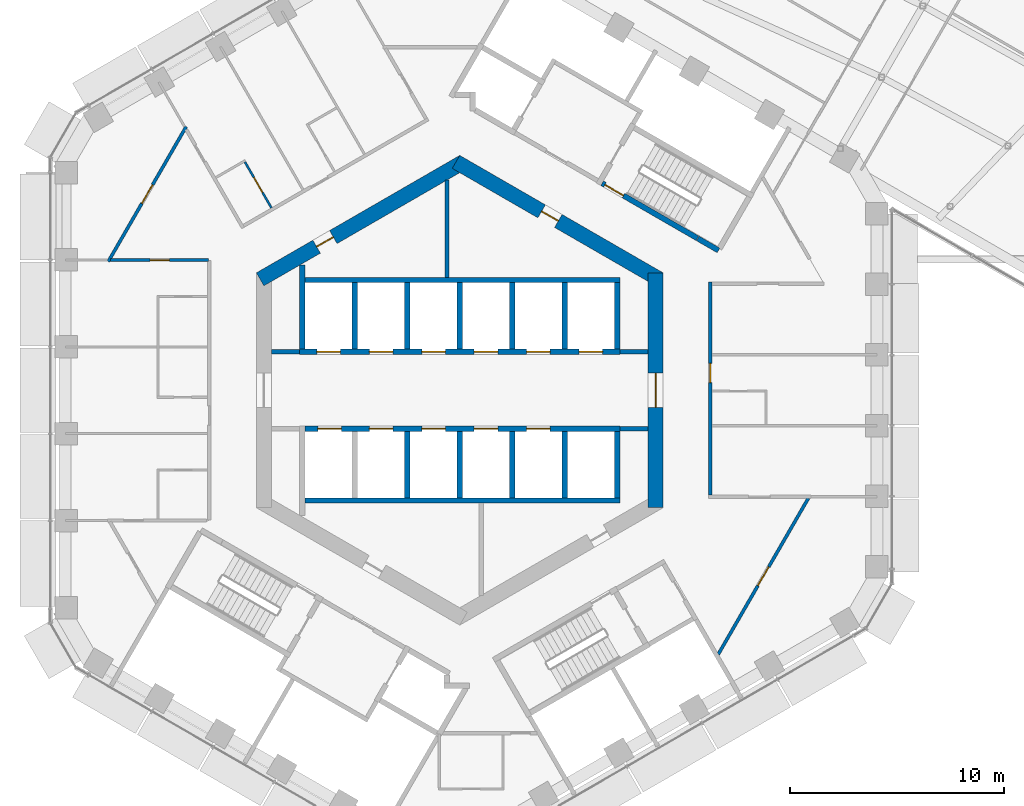
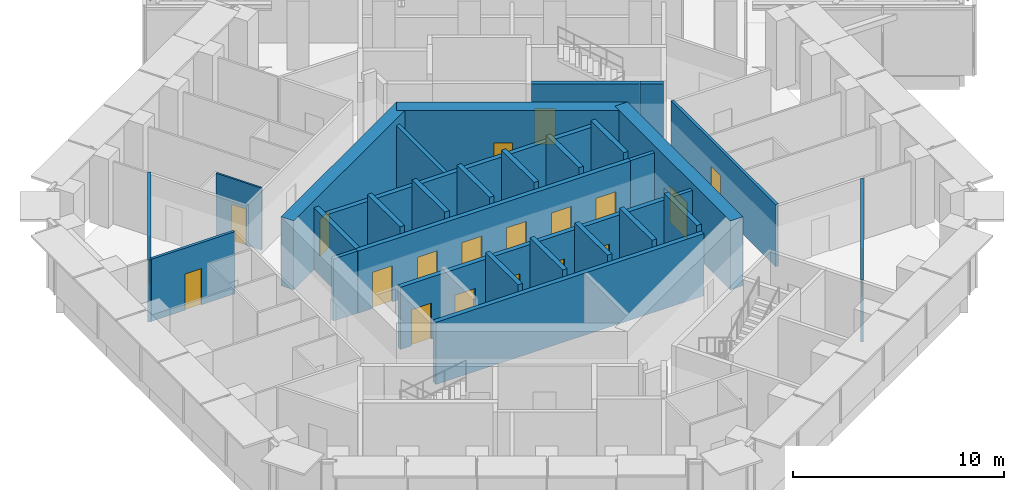
# One storey, part 20 of 28: 30 walls, 20 doors, 20 openings.
"""IFC4 building model written with IfcOpenShell, lengths in metres."""

from ifc_helpers import new_model, si_unit, direction, frame, frame_2d, origin, place, context, subcontext, project, spatial, rectangle, extrude, material, layer, layer_set, type_object, element, fill, save


model = new_model("IFC4")

# Units and contexts
model_context = context("Model", 3, precision=1e-05, world=origin(), true_north=direction((0.0, 1.0)))
body_context = subcontext(model_context, "Body", "Model", "MODEL_VIEW")
ifc_project = project(units=[si_unit("LENGTHUNIT", "METRE"), si_unit("AREAUNIT", "SQUARE_METRE"), si_unit("VOLUMEUNIT", "CUBIC_METRE"), si_unit("PLANEANGLEUNIT", "RADIAN"), si_unit("MASSUNIT", "GRAM", prefix="KILO")], contexts=[model_context])

# Site, building, storey
site_placement = place(None, origin())
site = spatial("IfcSite", under=ifc_project, at=site_placement, CompositionType="ELEMENT")
building_placement = place(site_placement, origin())
building = spatial("IfcBuilding", under=site, at=building_placement, Name="Ayvan Gate Tower", CompositionType="ELEMENT")
storey_placement = place(building_placement, frame((0.0, 0.0, 143.89990234375)))
storey = spatial("IfcBuildingStorey", under=building, at=storey_placement, Name="L38", CompositionType="ELEMENT", Elevation=143.89990234375)

# Wall, opening, door
ifc_material_1 = material(Name="Concrete C70/85", Category="concrete")
ifc_layer_1 = layer(ifc_material_1, 0.699951171875)
ifc_layer_set_1 = layer_set([ifc_layer_1], Name="Concrete C70/85")
wall_type_1 = type_object("IfcWallType", Name="Core wall 700 C70/85", PredefinedType="SHEAR", material=ifc_layer_set_1)
wall_1_placement = place(storey_placement, frame((9.14990234375, -5.48486328125, 0.0), z_axis=(0.0, 0.0, 1.0), x_axis=(0.0, 1.0, 0.0)))
wall_1 = element("IfcWall", 1, at=wall_1_placement, inside=storey, type_object=wall_type_1, Name="CORE-L38-0", PredefinedType="SHEAR", context=body_context, shape_type="SweptSolid", body=[
    extrude(rectangle(XDim=10.9697265625, YDim=0.699951171875, at=frame_2d((5.48486328125, 0.0))), origin(), (0.0, 0.0, 1.0), 4.0),
])
opening_1_placement = place(wall_1_placement, frame((4.684814453125, 0.0, 0.0)))
opening_1 = element("IfcOpeningElement", 2, at=opening_1_placement, cuts=wall_1, Name="Opening L38-D55", PredefinedType="OPENING", context=body_context, shape_type="SweptSolid", body=[
    extrude(rectangle(XDim=1.60009765625, YDim=2.10009765625, at=frame_2d((0.800048828125, 1.050048828125))), frame((0.0, 0.35986328125, 0.0), z_axis=(0.0, -1.0, 0.0), x_axis=(1.0, 0.0, 0.0)), (0.0, 0.0, 1.0), 0.719970703125),
])
ifc_material_2 = material(Name="Timber door leaf", Category="wood")
door_type_1 = type_object("IfcDoorType", Name="DT-1600", OperationType="NOTDEFINED", PredefinedType="DOOR", material=ifc_material_2)
door_1_placement = place(opening_1_placement, origin())
door_1 = element("IfcDoor", 3, at=door_1_placement, inside=storey, type_object=door_type_1, Name="CD-L38-55", OperationType="SINGLE_SWING_LEFT", OverallHeight=2.10009765625, OverallWidth=1.60009765625, PredefinedType="DOOR", context=body_context, shape_type="SweptSolid", body=[
    extrude(rectangle(XDim=1.60009765625, YDim=2.10009765625, at=frame_2d((0.800048828125, 1.050048828125))), frame((0.0, 0.02490234375, 0.0), z_axis=(0.0, -1.0, 0.0), x_axis=(1.0, 0.0, 0.0)), (0.0, 0.0, 1.0), 0.050048828125),
])
fill(opening_1, door_1)

wall_2_placement = place(storey_placement, frame((9.324951171875, 5.181640625, 0.0), z_axis=(0.0, 0.0, 1.0), x_axis=(-0.866023993627, 0.500002442456, 0.0)))
wall_2 = element("IfcWall", 4, at=wall_2_placement, inside=storey, type_object=wall_type_1, Name="CORE-L38-1", PredefinedType="SHEAR", context=body_context, shape_type="SweptSolid", body=[
    extrude(rectangle(XDim=10.9697265625, YDim=0.699951171875, at=frame_2d((5.48486328125, 0.0))), origin(), (0.0, 0.0, 1.0), 4.0),
])
opening_2_placement = place(wall_2_placement, frame((5.451171875, 0.0, 0.0)))
opening_2 = element("IfcOpeningElement", 5, at=opening_2_placement, cuts=wall_2, Name="Opening L38-D52", PredefinedType="OPENING", context=body_context, shape_type="SweptSolid", body=[
    extrude(rectangle(XDim=0.89990234375, YDim=2.10009765625, at=frame_2d((0.449951171875, 1.050048828125))), frame((0.0, 0.35986328125, 0.0), z_axis=(0.0, -1.0, 0.0), x_axis=(1.0, 0.0, 0.0)), (0.0, 0.0, 1.0), 0.719970703125),
])
door_type_2 = type_object("IfcDoorType", Name="DT-900", OperationType="NOTDEFINED", PredefinedType="DOOR", material=ifc_material_2)
door_2_placement = place(opening_2_placement, origin())
door_2 = element("IfcDoor", 6, at=door_2_placement, inside=storey, type_object=door_type_2, Name="CD-L38-52", OperationType="SINGLE_SWING_RIGHT", OverallHeight=2.10009765625, OverallWidth=0.89990234375, PredefinedType="DOOR", context=body_context, shape_type="SweptSolid", body=[
    extrude(rectangle(XDim=0.89990234375, YDim=2.10009765625, at=frame_2d((0.449951171875, 1.050048828125))), frame((0.0, 0.02490234375, 0.0), z_axis=(0.0, -1.0, 0.0), x_axis=(1.0, 0.0, 0.0)), (0.0, 0.0, 1.0), 0.050048828125),
])
fill(opening_2, door_2)

wall_3_placement = place(storey_placement, frame((0.175048828125, 10.66650390625, 0.0), z_axis=(0.0, 0.0, 1.0), x_axis=(-0.866023993627, -0.500002442456, 0.0)))
wall_3 = element("IfcWall", 7, at=wall_3_placement, inside=storey, type_object=wall_type_1, Name="CORE-L38-2", PredefinedType="SHEAR", context=body_context, shape_type="SweptSolid", body=[
    extrude(rectangle(XDim=10.9697265625, YDim=0.699951171875, at=frame_2d((5.48486328125, 0.0))), origin(), (0.0, 0.0, 1.0), 4.0),
])
opening_3_placement = place(wall_3_placement, frame((7.021484375, 0.0, 0.0)))
opening_3 = element("IfcOpeningElement", 8, at=opening_3_placement, cuts=wall_3, Name="Opening L38-D51", PredefinedType="OPENING", context=body_context, shape_type="SweptSolid", body=[
    extrude(rectangle(XDim=0.89990234375, YDim=2.10009765625, at=frame_2d((0.449951171875, 1.050048828125))), frame((0.0, 0.35986328125, 0.0), z_axis=(0.0, -1.0, 0.0), x_axis=(1.0, 0.0, 0.0)), (0.0, 0.0, 1.0), 0.719970703125),
])
door_3_placement = place(opening_3_placement, origin())
door_3 = element("IfcDoor", 9, at=door_3_placement, inside=storey, type_object=door_type_2, Name="CD-L38-51", OperationType="SINGLE_SWING_LEFT", OverallHeight=2.10009765625, OverallWidth=0.89990234375, PredefinedType="DOOR", context=body_context, shape_type="SweptSolid", body=[
    extrude(rectangle(XDim=0.89990234375, YDim=2.10009765625, at=frame_2d((0.449951171875, 1.050048828125))), frame((0.0, 0.02490234375, 0.0), z_axis=(0.0, -1.0, 0.0), x_axis=(1.0, 0.0, 0.0)), (0.0, 0.0, 1.0), 0.050048828125),
])
fill(opening_3, door_3)

ifc_material_3 = material(Name="Plasterboard on steel stud", Category="steel")
ifc_layer_2 = layer(ifc_material_3, 0.14990234375)
ifc_layer_set_2 = layer_set([ifc_layer_2], Name="Plasterboard on steel stud")
wall_type_2 = type_object("IfcWallType", Name="WT-CORR-150", PredefinedType="PARTITIONING", material=ifc_layer_set_2)
wall_4_placement = place(storey_placement, frame((-16.415771484375, 6.013427734375, 0.0), z_axis=(0.0, 0.0, 1.0), x_axis=(0.50001977908, 0.866013984026, 0.0)))
wall_4 = element("IfcWall", 10, at=wall_4_placement, inside=storey, type_object=wall_type_2, Name="IW-L38-001", PredefinedType="PARTITIONING", context=body_context, shape_type="SweptSolid", body=[
    extrude(rectangle(XDim=7.273681640625, YDim=0.14990234375, at=frame_2d((3.63671875, 0.0))), origin(), (0.0, 0.0, 1.0), 3.60009765625),
])
opening_4_placement = place(wall_4_placement, frame((3.13671875, 0.0, 0.0)))
opening_4 = element("IfcOpeningElement", 11, at=opening_4_placement, cuts=wall_4, Name="Opening L38-D27", PredefinedType="OPENING", context=body_context, shape_type="SweptSolid", body=[
    extrude(rectangle(XDim=1.0, YDim=2.10009765625, at=frame_2d((0.5, 1.050048828125))), frame((0.0, 0.0849609375, 0.0), z_axis=(0.0, -1.0, 0.0), x_axis=(1.0, 0.0, 0.0)), (0.0, 0.0, 1.0), 0.169921875),
])
door_type_3 = type_object("IfcDoorType", Name="DT-1000", OperationType="NOTDEFINED", PredefinedType="DOOR", material=ifc_material_2)
door_4_placement = place(opening_4_placement, origin())
door_4 = element("IfcDoor", 12, at=door_4_placement, inside=storey, type_object=door_type_3, Name="ID-L38-027", OperationType="SINGLE_SWING_LEFT", OverallHeight=2.10009765625, OverallWidth=1.0, PredefinedType="DOOR", context=body_context, shape_type="SweptSolid", body=[
    extrude(rectangle(XDim=1.0, YDim=2.10009765625, at=frame_2d((0.5, 1.050048828125))), frame((0.0, 0.02490234375, 0.0), z_axis=(0.0, -1.0, 0.0), x_axis=(1.0, 0.0, 0.0)), (0.0, 0.0, 1.0), 0.050048828125),
])
fill(opening_4, door_4)

wall_5_placement = place(storey_placement, frame((-11.72802734375, 6.078369140625, 0.0), z_axis=(0.0, 0.0, 1.0), x_axis=(-1.0, 0.0, 0.0)))
wall_5 = element("IfcWall", 13, at=wall_5_placement, inside=storey, type_object=wall_type_2, Name="IW-L38-014", PredefinedType="PARTITIONING", context=body_context, shape_type="SweptSolid", body=[
    extrude(rectangle(XDim=4.5751953125, YDim=0.14990234375, at=frame_2d((2.28759765625, 0.0))), origin(), (0.0, 0.0, 1.0), 3.60009765625),
])
opening_5_placement = place(wall_5_placement, frame((1.837646484375, 0.0, 0.0)))
opening_5 = element("IfcOpeningElement", 14, at=opening_5_placement, cuts=wall_5, Name="Opening L38-D28", PredefinedType="OPENING", context=body_context, shape_type="SweptSolid", body=[
    extrude(rectangle(XDim=0.89990234375, YDim=2.10009765625, at=frame_2d((0.449951171875, 1.050048828125))), frame((0.0, 0.0849609375, 0.0), z_axis=(0.0, -1.0, 0.0), x_axis=(1.0, 0.0, 0.0)), (0.0, 0.0, 1.0), 0.169921875),
])
door_5_placement = place(opening_5_placement, origin())
door_5 = element("IfcDoor", 15, at=door_5_placement, inside=storey, type_object=door_type_2, Name="ID-L38-028", OperationType="SINGLE_SWING_RIGHT", OverallHeight=2.10009765625, OverallWidth=0.89990234375, PredefinedType="DOOR", context=body_context, shape_type="SweptSolid", body=[
    extrude(rectangle(XDim=0.89990234375, YDim=2.10009765625, at=frame_2d((0.449951171875, 1.050048828125))), frame((0.0, 0.02490234375, 0.0), z_axis=(0.0, -1.0, 0.0), x_axis=(1.0, 0.0, 0.0)), (0.0, 0.0, 1.0), 0.050048828125),
])
fill(opening_5, door_5)

wall_6_placement = place(storey_placement, frame((11.699951171875, -4.900390625, 0.0), z_axis=(0.0, 0.0, 1.0), x_axis=(0.0, 1.0, 0.0)))
wall_6 = element("IfcWall", 16, at=wall_6_placement, inside=storey, type_object=wall_type_2, Name="IW-L38-102", PredefinedType="PARTITIONING", context=body_context, shape_type="SweptSolid", body=[
    extrude(rectangle(XDim=9.950927734375, YDim=0.14990234375, at=frame_2d((4.9755859375, 0.0))), origin(), (0.0, 0.0, 1.0), 3.60009765625),
])
opening_6_placement = place(wall_6_placement, frame((5.259033203125, 0.0, 0.0)))
opening_6 = element("IfcOpeningElement", 17, at=opening_6_placement, cuts=wall_6, Name="Opening L38-D24", PredefinedType="OPENING", context=body_context, shape_type="SweptSolid", body=[
    extrude(rectangle(XDim=0.89990234375, YDim=2.10009765625, at=frame_2d((0.449951171875, 1.050048828125))), frame((0.0, 0.0849609375, 0.0), z_axis=(0.0, -1.0, 0.0), x_axis=(1.0, 0.0, 0.0)), (0.0, 0.0, 1.0), 0.169921875),
])
door_6_placement = place(opening_6_placement, origin())
door_6 = element("IfcDoor", 18, at=door_6_placement, inside=storey, type_object=door_type_2, Name="ID-L38-024", OperationType="SINGLE_SWING_RIGHT", OverallHeight=2.10009765625, OverallWidth=0.89990234375, PredefinedType="DOOR", context=body_context, shape_type="SweptSolid", body=[
    extrude(rectangle(XDim=0.89990234375, YDim=2.10009765625, at=frame_2d((0.449951171875, 1.050048828125))), frame((0.0, 0.02490234375, 0.0), z_axis=(0.0, -1.0, 0.0), x_axis=(1.0, 0.0, 0.0)), (0.0, 0.0, 1.0), 0.050048828125),
])
fill(opening_6, door_6)

wall_7_placement = place(storey_placement, frame((16.28466796875, -5.04052734375, 0.0), z_axis=(0.0, 0.0, 1.0), x_axis=(-0.499997548519, -0.866026819143, 0.0)))
wall_7 = element("IfcWall", 19, at=wall_7_placement, inside=storey, type_object=wall_type_2, Name="IW-L38-112", PredefinedType="PARTITIONING", context=body_context, shape_type="SweptSolid", body=[
    extrude(rectangle(XDim=8.4248046875, YDim=0.14990234375, at=frame_2d((4.21240234375, 0.0))), origin(), (0.0, 0.0, 1.0), 3.60009765625),
])
opening_7_placement = place(wall_7_placement, frame((3.71240234375, 0.0, 0.0)))
opening_7 = element("IfcOpeningElement", 20, at=opening_7_placement, cuts=wall_7, Name="Opening L38-D37", PredefinedType="OPENING", context=body_context, shape_type="SweptSolid", body=[
    extrude(rectangle(XDim=1.0, YDim=2.10009765625, at=frame_2d((0.5, 1.050048828125))), frame((0.0, 0.0849609375, 0.0), z_axis=(0.0, -1.0, 0.0), x_axis=(1.0, 0.0, 0.0)), (0.0, 0.0, 1.0), 0.169921875),
])
door_7_placement = place(opening_7_placement, origin())
door_7 = element("IfcDoor", 21, at=door_7_placement, inside=storey, type_object=door_type_3, Name="ID-L38-037", OperationType="SINGLE_SWING_LEFT", OverallHeight=2.10009765625, OverallWidth=1.0, PredefinedType="DOOR", context=body_context, shape_type="SweptSolid", body=[
    extrude(rectangle(XDim=1.0, YDim=2.10009765625, at=frame_2d((0.5, 1.050048828125))), frame((0.0, 0.02490234375, 0.0), z_axis=(0.0, -1.0, 0.0), x_axis=(1.0, 0.0, 0.0)), (0.0, 0.0, 1.0), 0.050048828125),
])
fill(opening_7, door_7)

ifc_layer_3 = layer(ifc_material_3, 0.10009765625)
ifc_layer_set_3 = layer_set([ifc_layer_3], Name="Plasterboard on steel stud")
wall_type_3 = type_object("IfcWallType", Name="WT-PART-100", PredefinedType="PARTITIONING", material=ifc_layer_set_3)
wall_8_placement = place(storey_placement, frame((-8.7958984375, 8.518310546875, 0.0), z_axis=(0.0, 0.0, 1.0), x_axis=(-0.500032699561, 0.866006523861, 0.0)))
wall_8 = element("IfcWall", 22, at=wall_8_placement, inside=storey, type_object=wall_type_3, Name="IW-L38-023", PredefinedType="PARTITIONING", context=body_context, shape_type="SweptSolid", body=[
    extrude(rectangle(XDim=2.474853515625, YDim=0.10009765625, at=frame_2d((1.2373046875, 0.0))), origin(), (0.0, 0.0, 1.0), 3.60009765625),
])
opening_8_placement = place(wall_8_placement, frame((0.83740234375, 0.0, 0.0)))
opening_8 = element("IfcOpeningElement", 23, at=opening_8_placement, cuts=wall_8, Name="Opening L38-D42", PredefinedType="OPENING", context=body_context, shape_type="SweptSolid", body=[
    extrude(rectangle(XDim=0.800048828125, YDim=2.10009765625, at=frame_2d((0.39990234375, 1.050048828125))), frame((0.0, 0.06005859375, 0.0), z_axis=(0.0, -1.0, 0.0), x_axis=(1.0, 0.0, 0.0)), (0.0, 0.0, 1.0), 0.1201171875),
])
door_type_4 = type_object("IfcDoorType", Name="DT-800", OperationType="NOTDEFINED", PredefinedType="DOOR", material=ifc_material_2)
door_8_placement = place(opening_8_placement, origin())
door_8 = element("IfcDoor", 24, at=door_8_placement, inside=storey, type_object=door_type_4, Name="ID-L38-042", OperationType="SINGLE_SWING_RIGHT", OverallHeight=2.10009765625, OverallWidth=0.800048828125, PredefinedType="DOOR", context=body_context, shape_type="SweptSolid", body=[
    extrude(rectangle(XDim=0.800048828125, YDim=2.10009765625, at=frame_2d((0.39990234375, 1.050048828125))), frame((0.0, 0.02490234375, 0.0), z_axis=(0.0, -1.0, 0.0), x_axis=(1.0, 0.0, 0.0)), (0.0, 0.0, 1.0), 0.050048828125),
])
fill(opening_8, door_8)

# Walls
ifc_layer_4 = layer(ifc_material_3, 0.199951171875)
ifc_layer_set_4 = layer_set([ifc_layer_4], Name="Plasterboard on steel stud")
wall_type_4 = type_object("IfcWallType", Name="WT-RATED-200", PredefinedType="PARTITIONING", material=ifc_layer_set_4)
wall_9_placement = place(storey_placement, frame((-8.800048828125, 1.800048828125, 0.0), z_axis=(0.0, 0.0, 1.0), x_axis=(1.0, 0.0, 0.0)))
element("IfcWall", 25, at=wall_9_placement, inside=storey, type_object=wall_type_4, Name="IW-L38-022", PredefinedType="PARTITIONING", context=body_context, shape_type="SweptSolid", body=[
    extrude(rectangle(XDim=1.3251953125, YDim=0.199951171875, at=frame_2d((0.66259765625, 0.0))), origin(), (0.0, 0.0, 1.0), 3.60009765625),
])
wall_10_placement = place(storey_placement, frame((-0.60009765625, 9.81494140625, 0.0), z_axis=(0.0, 0.0, 1.0), x_axis=(0.0, -1.0, 0.0)))
element("IfcWall", 26, at=wall_10_placement, inside=storey, type_object=wall_type_4, Name="IW-L38-060", PredefinedType="PARTITIONING", context=body_context, shape_type="SweptSolid", body=[
    extrude(rectangle(XDim=4.5400390625, YDim=0.199951171875, at=frame_2d((2.27001953125, 0.0))), origin(), (0.0, 0.0, 1.0), 3.60009765625),
])
for number, where, z_axis, x_axis, name in (
    (27, (7.474853515625, 1.800048828125, 0.0), (0.0, 0.0, 1.0), (1.0, 0.0, 0.0), "IW-L38-090"),
    (28, (8.800048828125, -1.800048828125, 0.0), (0.0, 0.0, 1.0), (-1.0, 0.0, 0.0), "IW-L38-096"),
):
    element("IfcWall", number, at=place(storey_placement, frame(where, z_axis=z_axis, x_axis=x_axis)), inside=storey, type_object=wall_type_4, Name=name, PredefinedType="PARTITIONING", context=body_context, shape_type="SweptSolid", body=[
        extrude(rectangle(XDim=1.3251953125, YDim=0.199951171875, at=frame_2d((0.66259765625, 0.0))), origin(), (0.0, 0.0, 1.0), 3.60009765625),
    ])

# Wall, openings, doors
ifc_material_4 = material(Name="Concrete C50/60", Category="concrete")
ifc_layer_5 = layer(ifc_material_4, 0.25)
ifc_layer_set_5 = layer_set([ifc_layer_5], Name="Concrete C50/60")
wall_type_5 = type_object("IfcWallType", Name="WT-RC-250", PredefinedType="SHEAR", material=ifc_layer_set_5)
wall_11_placement = place(storey_placement, frame((-7.47509765625, 1.800048828125, 0.0), z_axis=(0.0, 0.0, 1.0), x_axis=(1.0, 0.0, 0.0)))
wall_11 = element("IfcWall", 29, at=wall_11_placement, inside=storey, type_object=wall_type_5, Name="IW-L38-028", PredefinedType="SHEAR", context=body_context, shape_type="SweptSolid", body=[
    extrude(rectangle(XDim=14.9501953125, YDim=0.25, at=frame_2d((7.47509765625, 0.0))), origin(), (0.0, 0.0, 1.0), 3.60009765625),
])
opening_9_placement = place(wall_11_placement, frame((0.800048828125, 0.0, 0.0)))
opening_9 = element("IfcOpeningElement", 30, at=opening_9_placement, cuts=wall_11, Name="Opening L38-LD-HR1", PredefinedType="OPENING", context=body_context, shape_type="SweptSolid", body=[
    extrude(rectangle(XDim=1.10009765625, YDim=2.10009765625, at=frame_2d((0.550048828125, 1.050048828125))), frame((0.0, 0.135009765625, 0.0), z_axis=(0.0, -1.0, 0.0), x_axis=(1.0, 0.0, 0.0)), (0.0, 0.0, 1.0), 0.27001953125),
])
opening_10_placement = place(wall_11_placement, frame((3.25, 0.0, 0.0)))
opening_10 = element("IfcOpeningElement", 31, at=opening_10_placement, cuts=wall_11, Name="Opening L38-LD-HR2", PredefinedType="OPENING", context=body_context, shape_type="SweptSolid", body=[
    extrude(rectangle(XDim=1.10009765625, YDim=2.10009765625, at=frame_2d((0.550048828125, 1.050048828125))), frame((0.0, 0.135009765625, 0.0), z_axis=(0.0, -1.0, 0.0), x_axis=(1.0, 0.0, 0.0)), (0.0, 0.0, 1.0), 0.27001953125),
])
opening_11_placement = place(wall_11_placement, frame((5.7001953125, 0.0, 0.0)))
opening_11 = element("IfcOpeningElement", 32, at=opening_11_placement, cuts=wall_11, Name="Opening L38-LD-HR3", PredefinedType="OPENING", context=body_context, shape_type="SweptSolid", body=[
    extrude(rectangle(XDim=1.10009765625, YDim=2.10009765625, at=frame_2d((0.550048828125, 1.050048828125))), frame((0.0, 0.135009765625, 0.0), z_axis=(0.0, -1.0, 0.0), x_axis=(1.0, 0.0, 0.0)), (0.0, 0.0, 1.0), 0.27001953125),
])
opening_12_placement = place(wall_11_placement, frame((8.150146484375, 0.0, 0.0)))
opening_12 = element("IfcOpeningElement", 33, at=opening_12_placement, cuts=wall_11, Name="Opening L38-LD-HR4", PredefinedType="OPENING", context=body_context, shape_type="SweptSolid", body=[
    extrude(rectangle(XDim=1.10009765625, YDim=2.10009765625, at=frame_2d((0.550048828125, 1.050048828125))), frame((0.0, 0.135009765625, 0.0), z_axis=(0.0, -1.0, 0.0), x_axis=(1.0, 0.0, 0.0)), (0.0, 0.0, 1.0), 0.27001953125),
])
opening_13_placement = place(wall_11_placement, frame((10.60009765625, 0.0, 0.0)))
opening_13 = element("IfcOpeningElement", 34, at=opening_13_placement, cuts=wall_11, Name="Opening L38-LD-HR5", PredefinedType="OPENING", context=body_context, shape_type="SweptSolid", body=[
    extrude(rectangle(XDim=1.10009765625, YDim=2.10009765625, at=frame_2d((0.550048828125, 1.050048828125))), frame((0.0, 0.135009765625, 0.0), z_axis=(0.0, -1.0, 0.0), x_axis=(1.0, 0.0, 0.0)), (0.0, 0.0, 1.0), 0.27001953125),
])
opening_14_placement = place(wall_11_placement, frame((13.050048828125, 0.0, 0.0)))
opening_14 = element("IfcOpeningElement", 35, at=opening_14_placement, cuts=wall_11, Name="Opening L38-LD-HR6", PredefinedType="OPENING", context=body_context, shape_type="SweptSolid", body=[
    extrude(rectangle(XDim=1.10009765625, YDim=2.10009765625, at=frame_2d((0.550048828125, 1.050048828125))), frame((0.0, 0.135009765625, 0.0), z_axis=(0.0, -1.0, 0.0), x_axis=(1.0, 0.0, 0.0)), (0.0, 0.0, 1.0), 0.27001953125),
])
ifc_material_5 = material(Name="Stainless steel landing door", Category="steel")
door_type_5 = type_object("IfcDoorType", Name="DT-LANDING-1100", OperationType="SLIDING_TO_LEFT", PredefinedType="DOOR", material=ifc_material_5)
door_9_placement = place(opening_9_placement, origin())
door_9 = element("IfcDoor", 36, at=door_9_placement, inside=storey, type_object=door_type_5, Name="ID-L38-001", OperationType="SLIDING_TO_LEFT", OverallHeight=2.10009765625, OverallWidth=1.10009765625, PredefinedType="DOOR", context=body_context, shape_type="SweptSolid", body=[
    extrude(rectangle(XDim=1.10009765625, YDim=2.10009765625, at=frame_2d((0.550048828125, 1.050048828125))), frame((0.0, 0.02490234375, 0.0), z_axis=(0.0, -1.0, 0.0), x_axis=(1.0, 0.0, 0.0)), (0.0, 0.0, 1.0), 0.050048828125),
])
fill(opening_9, door_9)
door_10_placement = place(opening_10_placement, origin())
door_10 = element("IfcDoor", 37, at=door_10_placement, inside=storey, type_object=door_type_5, Name="ID-L38-002", OperationType="SLIDING_TO_LEFT", OverallHeight=2.10009765625, OverallWidth=1.10009765625, PredefinedType="DOOR", context=body_context, shape_type="SweptSolid", body=[
    extrude(rectangle(XDim=1.10009765625, YDim=2.10009765625, at=frame_2d((0.550048828125, 1.050048828125))), frame((0.0, 0.02490234375, 0.0), z_axis=(0.0, -1.0, 0.0), x_axis=(1.0, 0.0, 0.0)), (0.0, 0.0, 1.0), 0.050048828125),
])
fill(opening_10, door_10)
door_11_placement = place(opening_11_placement, origin())
door_11 = element("IfcDoor", 38, at=door_11_placement, inside=storey, type_object=door_type_5, Name="ID-L38-003", OperationType="SLIDING_TO_LEFT", OverallHeight=2.10009765625, OverallWidth=1.10009765625, PredefinedType="DOOR", context=body_context, shape_type="SweptSolid", body=[
    extrude(rectangle(XDim=1.10009765625, YDim=2.10009765625, at=frame_2d((0.550048828125, 1.050048828125))), frame((0.0, 0.02490234375, 0.0), z_axis=(0.0, -1.0, 0.0), x_axis=(1.0, 0.0, 0.0)), (0.0, 0.0, 1.0), 0.050048828125),
])
fill(opening_11, door_11)
door_12_placement = place(opening_12_placement, origin())
door_12 = element("IfcDoor", 39, at=door_12_placement, inside=storey, type_object=door_type_5, Name="ID-L38-004", OperationType="SLIDING_TO_LEFT", OverallHeight=2.10009765625, OverallWidth=1.10009765625, PredefinedType="DOOR", context=body_context, shape_type="SweptSolid", body=[
    extrude(rectangle(XDim=1.10009765625, YDim=2.10009765625, at=frame_2d((0.550048828125, 1.050048828125))), frame((0.0, 0.02490234375, 0.0), z_axis=(0.0, -1.0, 0.0), x_axis=(1.0, 0.0, 0.0)), (0.0, 0.0, 1.0), 0.050048828125),
])
fill(opening_12, door_12)
door_13_placement = place(opening_13_placement, origin())
door_13 = element("IfcDoor", 40, at=door_13_placement, inside=storey, type_object=door_type_5, Name="ID-L38-005", OperationType="SLIDING_TO_LEFT", OverallHeight=2.10009765625, OverallWidth=1.10009765625, PredefinedType="DOOR", context=body_context, shape_type="SweptSolid", body=[
    extrude(rectangle(XDim=1.10009765625, YDim=2.10009765625, at=frame_2d((0.550048828125, 1.050048828125))), frame((0.0, 0.02490234375, 0.0), z_axis=(0.0, -1.0, 0.0), x_axis=(1.0, 0.0, 0.0)), (0.0, 0.0, 1.0), 0.050048828125),
])
fill(opening_13, door_13)
door_14_placement = place(opening_14_placement, origin())
door_14 = element("IfcDoor", 41, at=door_14_placement, inside=storey, type_object=door_type_5, Name="ID-L38-006", OperationType="SLIDING_TO_LEFT", OverallHeight=2.10009765625, OverallWidth=1.10009765625, PredefinedType="DOOR", context=body_context, shape_type="SweptSolid", body=[
    extrude(rectangle(XDim=1.10009765625, YDim=2.10009765625, at=frame_2d((0.550048828125, 1.050048828125))), frame((0.0, 0.02490234375, 0.0), z_axis=(0.0, -1.0, 0.0), x_axis=(1.0, 0.0, 0.0)), (0.0, 0.0, 1.0), 0.050048828125),
])
fill(opening_14, door_14)

# Walls
wall_12_placement = place(storey_placement, frame((-7.35009765625, 1.925048828125, 0.0), z_axis=(0.0, 0.0, 1.0), x_axis=(0.0, 1.0, 0.0)))
element("IfcWall", 42, at=wall_12_placement, inside=storey, type_object=wall_type_5, Name="IW-L38-030", PredefinedType="SHEAR", context=body_context, shape_type="SweptSolid", body=[
    extrude(rectangle(XDim=3.920654296875, YDim=0.25, at=frame_2d((1.96044921875, 0.0))), origin(), (0.0, 0.0, 1.0), 3.60009765625),
])
for number, where, z_axis, x_axis, name in (
    (43, (-7.22509765625, 5.14990234375, 0.0), (0.0, 0.0, 1.0), (1.0, 0.0, 0.0), "IW-L38-031"),
    (44, (-7.22509765625, -5.14990234375, 0.0), (0.0, 0.0, 1.0), (1.0, 0.0, 0.0), "IW-L38-039"),
):
    element("IfcWall", number, at=place(storey_placement, frame(where, z_axis=z_axis, x_axis=x_axis)), inside=storey, type_object=wall_type_5, Name=name, PredefinedType="SHEAR", context=body_context, shape_type="SweptSolid", body=[
        extrude(rectangle(XDim=14.7001953125, YDim=0.25, at=frame_2d((7.35009765625, 0.0))), origin(), (0.0, 0.0, 1.0), 3.60009765625),
    ])
wall_13_placement = place(storey_placement, frame((-4.89990234375, 5.02490234375, 0.0), z_axis=(0.0, 0.0, 1.0), x_axis=(0.0, -1.0, 0.0)))
element("IfcWall", 45, at=wall_13_placement, inside=storey, type_object=wall_type_5, Name="IW-L38-041", PredefinedType="SHEAR", context=body_context, shape_type="SweptSolid", body=[
    extrude(rectangle(XDim=3.099853515625, YDim=0.25, at=frame_2d((1.5498046875, 0.0))), origin(), (0.0, 0.0, 1.0), 4.0),
])

# Wall, openings, doors
wall_14_placement = place(storey_placement, frame((-7.22509765625, -1.800048828125, 0.0), z_axis=(0.0, 0.0, 1.0), x_axis=(1.0, 0.0, 0.0)))
wall_14 = element("IfcWall", 46, at=wall_14_placement, inside=storey, type_object=wall_type_5, Name="IW-L38-042", PredefinedType="SHEAR", context=body_context, shape_type="SweptSolid", body=[
    extrude(rectangle(XDim=14.7001953125, YDim=0.25, at=frame_2d((7.35009765625, 0.0))), origin(), (0.0, 0.0, 1.0), 3.60009765625),
])
opening_15_placement = place(wall_14_placement, frame((0.597412109375, 0.0, 0.0)))
opening_15 = element("IfcOpeningElement", 47, at=opening_15_placement, cuts=wall_14, Name="Opening L38-LD-LR1", PredefinedType="OPENING", context=body_context, shape_type="SweptSolid", body=[
    extrude(rectangle(XDim=1.10009765625, YDim=2.10009765625, at=frame_2d((0.550048828125, 1.050048828125))), frame((0.0, 0.135009765625, 0.0), z_axis=(0.0, -1.0, 0.0), x_axis=(1.0, 0.0, 0.0)), (0.0, 0.0, 1.0), 0.27001953125),
])
opening_16_placement = place(wall_14_placement, frame((3.0, 0.0, 0.0)))
opening_16 = element("IfcOpeningElement", 48, at=opening_16_placement, cuts=wall_14, Name="Opening L38-LD-LR2", PredefinedType="OPENING", context=body_context, shape_type="SweptSolid", body=[
    extrude(rectangle(XDim=1.10009765625, YDim=2.10009765625, at=frame_2d((0.550048828125, 1.050048828125))), frame((0.0, 0.135009765625, 0.0), z_axis=(0.0, -1.0, 0.0), x_axis=(1.0, 0.0, 0.0)), (0.0, 0.0, 1.0), 0.27001953125),
])
opening_17_placement = place(wall_14_placement, frame((5.4501953125, 0.0, 0.0)))
opening_17 = element("IfcOpeningElement", 49, at=opening_17_placement, cuts=wall_14, Name="Opening L38-LD-LR3", PredefinedType="OPENING", context=body_context, shape_type="SweptSolid", body=[
    extrude(rectangle(XDim=1.10009765625, YDim=2.10009765625, at=frame_2d((0.550048828125, 1.050048828125))), frame((0.0, 0.135009765625, 0.0), z_axis=(0.0, -1.0, 0.0), x_axis=(1.0, 0.0, 0.0)), (0.0, 0.0, 1.0), 0.27001953125),
])
opening_18_placement = place(wall_14_placement, frame((7.900146484375, 0.0, 0.0)))
opening_18 = element("IfcOpeningElement", 50, at=opening_18_placement, cuts=wall_14, Name="Opening L38-LD-LR4", PredefinedType="OPENING", context=body_context, shape_type="SweptSolid", body=[
    extrude(rectangle(XDim=1.10009765625, YDim=2.10009765625, at=frame_2d((0.550048828125, 1.050048828125))), frame((0.0, 0.135009765625, 0.0), z_axis=(0.0, -1.0, 0.0), x_axis=(1.0, 0.0, 0.0)), (0.0, 0.0, 1.0), 0.27001953125),
])
opening_19_placement = place(wall_14_placement, frame((10.35009765625, 0.0, 0.0)))
opening_19 = element("IfcOpeningElement", 51, at=opening_19_placement, cuts=wall_14, Name="Opening L38-LD-SV", PredefinedType="OPENING", context=body_context, shape_type="SweptSolid", body=[
    extrude(rectangle(XDim=1.10009765625, YDim=2.10009765625, at=frame_2d((0.550048828125, 1.050048828125))), frame((0.0, 0.135009765625, 0.0), z_axis=(0.0, -1.0, 0.0), x_axis=(1.0, 0.0, 0.0)), (0.0, 0.0, 1.0), 0.27001953125),
])
door_15_placement = place(opening_15_placement, origin())
door_15 = element("IfcDoor", 52, at=door_15_placement, inside=storey, type_object=door_type_5, Name="ID-L38-007", OperationType="SLIDING_TO_LEFT", OverallHeight=2.10009765625, OverallWidth=1.10009765625, PredefinedType="DOOR", context=body_context, shape_type="SweptSolid", body=[
    extrude(rectangle(XDim=1.10009765625, YDim=2.10009765625, at=frame_2d((0.550048828125, 1.050048828125))), frame((0.0, 0.02490234375, 0.0), z_axis=(0.0, -1.0, 0.0), x_axis=(1.0, 0.0, 0.0)), (0.0, 0.0, 1.0), 0.050048828125),
])
fill(opening_15, door_15)
door_16_placement = place(opening_16_placement, origin())
door_16 = element("IfcDoor", 53, at=door_16_placement, inside=storey, type_object=door_type_5, Name="ID-L38-008", OperationType="SLIDING_TO_LEFT", OverallHeight=2.10009765625, OverallWidth=1.10009765625, PredefinedType="DOOR", context=body_context, shape_type="SweptSolid", body=[
    extrude(rectangle(XDim=1.10009765625, YDim=2.10009765625, at=frame_2d((0.550048828125, 1.050048828125))), frame((0.0, 0.02490234375, 0.0), z_axis=(0.0, -1.0, 0.0), x_axis=(1.0, 0.0, 0.0)), (0.0, 0.0, 1.0), 0.050048828125),
])
fill(opening_16, door_16)
door_17_placement = place(opening_17_placement, origin())
door_17 = element("IfcDoor", 54, at=door_17_placement, inside=storey, type_object=door_type_5, Name="ID-L38-009", OperationType="SLIDING_TO_LEFT", OverallHeight=2.10009765625, OverallWidth=1.10009765625, PredefinedType="DOOR", context=body_context, shape_type="SweptSolid", body=[
    extrude(rectangle(XDim=1.10009765625, YDim=2.10009765625, at=frame_2d((0.550048828125, 1.050048828125))), frame((0.0, 0.02490234375, 0.0), z_axis=(0.0, -1.0, 0.0), x_axis=(1.0, 0.0, 0.0)), (0.0, 0.0, 1.0), 0.050048828125),
])
fill(opening_17, door_17)
door_18_placement = place(opening_18_placement, origin())
door_18 = element("IfcDoor", 55, at=door_18_placement, inside=storey, type_object=door_type_5, Name="ID-L38-010", OperationType="SLIDING_TO_LEFT", OverallHeight=2.10009765625, OverallWidth=1.10009765625, PredefinedType="DOOR", context=body_context, shape_type="SweptSolid", body=[
    extrude(rectangle(XDim=1.10009765625, YDim=2.10009765625, at=frame_2d((0.550048828125, 1.050048828125))), frame((0.0, 0.02490234375, 0.0), z_axis=(0.0, -1.0, 0.0), x_axis=(1.0, 0.0, 0.0)), (0.0, 0.0, 1.0), 0.050048828125),
])
fill(opening_18, door_18)
door_19_placement = place(opening_19_placement, origin())
door_19 = element("IfcDoor", 56, at=door_19_placement, inside=storey, type_object=door_type_5, Name="ID-L38-011", OperationType="SLIDING_TO_LEFT", OverallHeight=2.10009765625, OverallWidth=1.10009765625, PredefinedType="DOOR", context=body_context, shape_type="SweptSolid", body=[
    extrude(rectangle(XDim=1.10009765625, YDim=2.10009765625, at=frame_2d((0.550048828125, 1.050048828125))), frame((0.0, 0.02490234375, 0.0), z_axis=(0.0, -1.0, 0.0), x_axis=(1.0, 0.0, 0.0)), (0.0, 0.0, 1.0), 0.050048828125),
])
fill(opening_19, door_19)

# Walls
for number, where, z_axis, x_axis, name in (
    (57, (-2.449951171875, -1.925048828125, 0.0), (0.0, 0.0, 1.0), (0.0, -1.0, 0.0), "IW-L38-050"),
    (58, (-2.449951171875, 5.02490234375, 0.0), (0.0, 0.0, 1.0), (0.0, -1.0, 0.0), "IW-L38-051"),
    (59, (0.0, -1.925048828125, 0.0), (0.0, 0.0, 1.0), (0.0, -1.0, 0.0), "IW-L38-062"),
    (60, (0.0, 5.02490234375, 0.0), (0.0, 0.0, 1.0), (0.0, -1.0, 0.0), "IW-L38-063"),
    (61, (2.449951171875, -1.925048828125, 0.0), (0.0, 0.0, 1.0), (0.0, -1.0, 0.0), "IW-L38-073"),
    (62, (2.449951171875, 5.02490234375, 0.0), (0.0, 0.0, 1.0), (0.0, -1.0, 0.0), "IW-L38-074"),
    (63, (4.89990234375, -1.925048828125, 0.0), (0.0, 0.0, 1.0), (0.0, -1.0, 0.0), "IW-L38-082"),
    (64, (4.89990234375, 5.02490234375, 0.0), (0.0, 0.0, 1.0), (0.0, -1.0, 0.0), "IW-L38-083"),
    (65, (7.35009765625, -1.925048828125, 0.0), (0.0, 0.0, 1.0), (0.0, -1.0, 0.0), "IW-L38-091"),
    (66, (7.35009765625, 5.02490234375, 0.0), (0.0, 0.0, 1.0), (0.0, -1.0, 0.0), "IW-L38-092"),
):
    element("IfcWall", number, at=place(storey_placement, frame(where, z_axis=z_axis, x_axis=x_axis)), inside=storey, type_object=wall_type_5, Name=name, PredefinedType="SHEAR", context=body_context, shape_type="SweptSolid", body=[
        extrude(rectangle(XDim=3.099853515625, YDim=0.25, at=frame_2d((1.5498046875, 0.0))), origin(), (0.0, 0.0, 1.0), 4.0),
    ])

# Wall, opening, door
wall_15_placement = place(storey_placement, frame((11.10009765625, 7.101318359375, 0.0), z_axis=(0.0, 0.0, 1.0), x_axis=(-0.8660265141, 0.499998076872, 0.0)))
wall_15 = element("IfcWall", 67, at=wall_15_placement, inside=storey, type_object=wall_type_5, Name="IW-L38-100", PredefinedType="SHEAR", context=body_context, shape_type="SweptSolid", body=[
    extrude(rectangle(XDim=5.13720703125, YDim=0.25, at=frame_2d((2.568603515625, 0.0))), origin(), (0.0, 0.0, 1.0), 3.60009765625),
])
opening_20_placement = place(wall_15_placement, frame((3.9873046875, 0.0, 0.0)))
opening_20 = element("IfcOpeningElement", 68, at=opening_20_placement, cuts=wall_15, Name="Opening L38-D12", PredefinedType="OPENING", context=body_context, shape_type="SweptSolid", body=[
    extrude(rectangle(XDim=1.0, YDim=2.10009765625, at=frame_2d((0.5, 1.050048828125))), frame((0.0, 0.135009765625, 0.0), z_axis=(0.0, -1.0, 0.0), x_axis=(1.0, 0.0, 0.0)), (0.0, 0.0, 1.0), 0.27001953125),
])
door_20_placement = place(opening_20_placement, origin())
door_20 = element("IfcDoor", 69, at=door_20_placement, inside=storey, type_object=door_type_3, Name="ID-L38-012", OperationType="SINGLE_SWING_RIGHT", OverallHeight=2.10009765625, OverallWidth=1.0, PredefinedType="DOOR", context=body_context, shape_type="SweptSolid", body=[
    extrude(rectangle(XDim=1.0, YDim=2.10009765625, at=frame_2d((0.5, 1.050048828125))), frame((0.0, 0.02490234375, 0.0), z_axis=(0.0, -1.0, 0.0), x_axis=(1.0, 0.0, 0.0)), (0.0, 0.0, 1.0), 0.050048828125),
])
fill(opening_20, door_20)

# Wall
wall_16_placement = place(storey_placement, frame((12.08544921875, 6.532470703125, 0.0), z_axis=(0.0, 0.0, 1.0), x_axis=(-0.86604373436, 0.499968249168, 0.0)))
element("IfcWall", 70, at=wall_16_placement, inside=storey, type_object=wall_type_5, Name="IW-L38-105", PredefinedType="SHEAR", context=body_context, shape_type="SweptSolid", body=[
    extrude(rectangle(XDim=1.11767578125, YDim=0.25, at=frame_2d((0.558837890625, 0.0))), origin(), (0.0, 0.0, 1.0), 3.60009765625),
])

save(model, "model.ifc")
